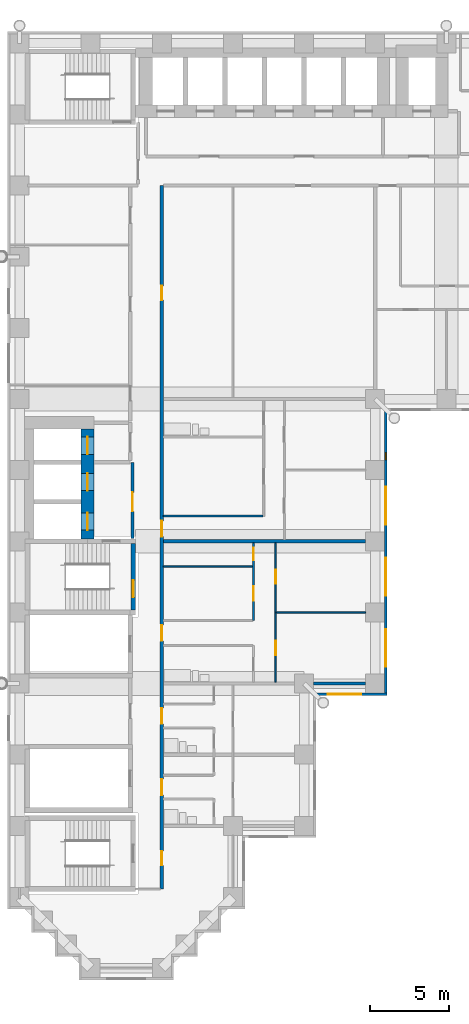
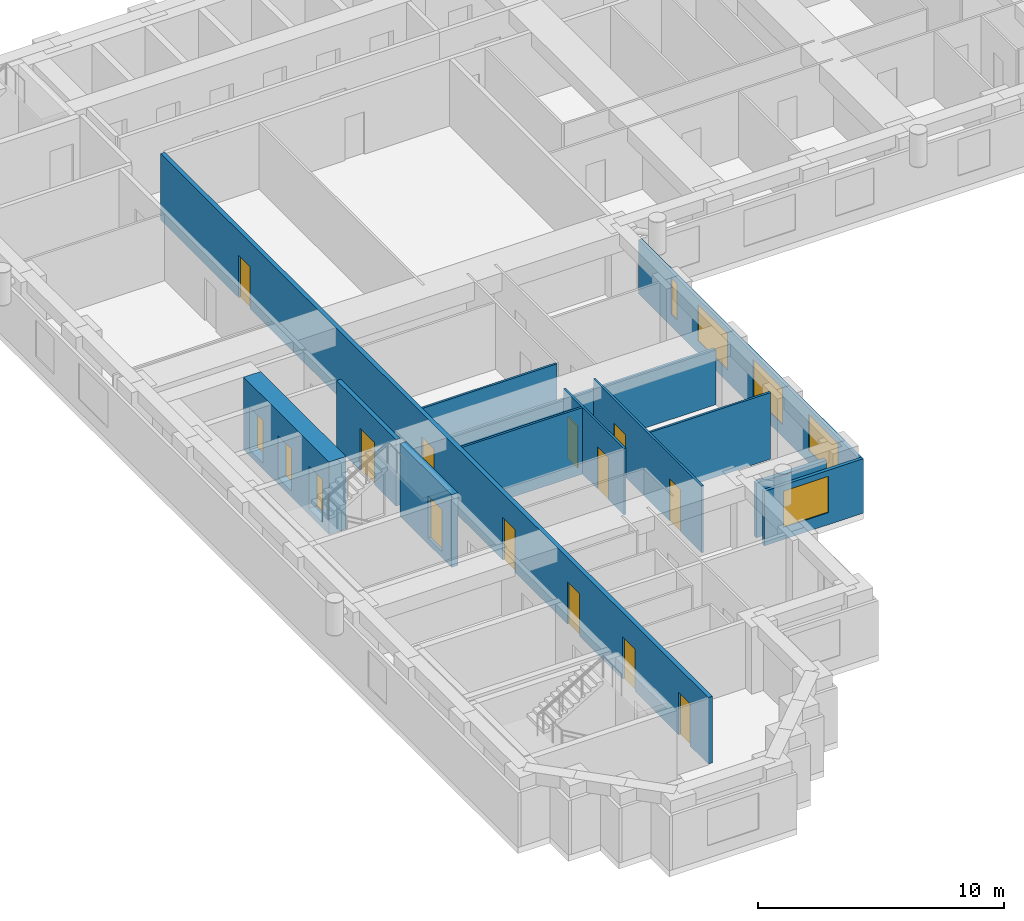
# One storey, part 5 of 14: 15 doors, 13 walls, 5 windows, 20 openings.
"""IFC4 building model written with IfcOpenShell, lengths in metres."""

from ifc_helpers import new_model, si_unit, direction, frame, frame_2d, origin, place, context, subcontext, project, spatial, rectangle, extrude, material, layer, layer_set, type_object, element, fill, save


model = new_model("IFC4")

# Units and contexts
model_context = context("Model", 3, precision=1e-05, world=origin(), true_north=direction((0.0, 1.0)))
body_context = subcontext(model_context, "Body", "Model", "MODEL_VIEW")
ifc_project = project(units=[si_unit("LENGTHUNIT", "METRE"), si_unit("AREAUNIT", "SQUARE_METRE"), si_unit("VOLUMEUNIT", "CUBIC_METRE"), si_unit("PLANEANGLEUNIT", "RADIAN"), si_unit("MASSUNIT", "GRAM", prefix="KILO")], contexts=[model_context])

# Site, building, storey
site_placement = place(None, origin())
site = spatial("IfcSite", under=ifc_project, at=site_placement, CompositionType="ELEMENT")
building_placement = place(site_placement, origin())
building = spatial("IfcBuilding", under=site, at=building_placement, Name="Firuza Court", CompositionType="ELEMENT")
storey_placement = place(building_placement, frame((0.0, 0.0, 68.60009765625)))
storey = spatial("IfcBuildingStorey", under=building, at=storey_placement, Name="L16", CompositionType="ELEMENT", Elevation=68.60009765625)

# Wall, opening, door
ifc_material_1 = material(Name="Concrete C60/75", Category="concrete")
ifc_layer_1 = layer(ifc_material_1, 0.300048828125)
ifc_layer_set_1 = layer_set([ifc_layer_1], Name="Concrete C60/75")
wall_type_1 = type_object("IfcWallType", Name="Core wall 300 C60/75", PredefinedType="SHEAR", material=ifc_layer_set_1)
wall_1_placement = place(storey_placement, frame((7.199951171875, 22.64990234375, -0.300048828125), z_axis=(0.0, 0.0, 1.0), x_axis=(0.0, 1.0, 0.0)))
wall_1 = element("IfcWall", 1, at=wall_1_placement, inside=storey, type_object=wall_type_1, Name="Core wall stair L16", PredefinedType="SHEAR", context=body_context, shape_type="SweptSolid", body=[
    extrude(rectangle(XDim=4.2001953125, YDim=0.300048828125, at=frame_2d((2.10009765625, 0.0))), origin(), (0.0, 0.0, 1.0), 3.599853515625),
])
opening_1_placement = place(wall_1_placement, frame((0.800048828125, 0.0, 0.300048828125)))
opening_1 = element("IfcOpeningElement", 2, at=opening_1_placement, cuts=wall_1, Name="Opening D16015", PredefinedType="OPENING", context=body_context, shape_type="SweptSolid", body=[
    extrude(rectangle(XDim=1.10009765625, YDim=2.10009765625, at=frame_2d((0.550048828125, 1.050048828125))), frame((0.0, 0.162109375, 0.0), z_axis=(0.0, -1.0, 0.0), x_axis=(1.0, 0.0, 0.0)), (0.0, 0.0, 1.0), 0.323974609375),
])
ifc_material_2 = material(Name="Timber door leaf in hardwood frame", Category="wood")
door_type_1 = type_object("IfcDoorType", Name="Stair door 1100", OperationType="SINGLE_SWING_LEFT", PredefinedType="DOOR", material=ifc_material_2)
door_1_placement = place(opening_1_placement, origin())
door_1 = element("IfcDoor", 3, at=door_1_placement, inside=storey, type_object=door_type_1, Name="Stair door S2", OperationType="SINGLE_SWING_LEFT", OverallHeight=2.10009765625, OverallWidth=1.10009765625, PredefinedType="DOOR", context=body_context, shape_type="SweptSolid", body=[
    extrude(rectangle(XDim=1.10009765625, YDim=2.10009765625, at=frame_2d((0.550048828125, 1.050048828125))), frame((0.0, 0.02490234375, 0.0), z_axis=(0.0, -1.0, 0.0), x_axis=(1.0, 0.0, 0.0)), (0.0, 0.0, 1.0), 0.050048828125),
])
fill(opening_1, door_1)

# Wall, openings, doors
ifc_layer_2 = layer(ifc_material_1, 0.800048828125)
ifc_layer_set_2 = layer_set([ifc_layer_2], Name="Concrete C60/75")
wall_type_2 = type_object("IfcWallType", Name="Core wall 800 C60/75", PredefinedType="SHEAR", material=ifc_layer_set_2)
wall_2_placement = place(storey_placement, frame((4.300048828125, 27.14990234375, -0.300048828125), z_axis=(0.0, 0.0, 1.0), x_axis=(0.0, 1.0, 0.0)))
wall_2 = element("IfcWall", 4, at=wall_2_placement, inside=storey, type_object=wall_type_2, Name="Core wall lift shaft L16", PredefinedType="SHEAR", context=body_context, shape_type="SweptSolid", body=[
    extrude(rectangle(XDim=6.9501953125, YDim=0.800048828125, at=frame_2d((3.47509765625, 0.0))), origin(), (0.0, 0.0, 1.0), 3.599853515625),
])
opening_2_placement = place(wall_2_placement, frame((3.050048828125, 0.0, 0.300048828125)))
opening_2 = element("IfcOpeningElement", 5, at=opening_2_placement, cuts=wall_2, Name="Opening LD-FL1-16", PredefinedType="OPENING", context=body_context, shape_type="SweptSolid", body=[
    extrude(rectangle(XDim=1.10009765625, YDim=2.10009765625, at=frame_2d((0.550048828125, 1.050048828125))), frame((0.0, 0.412109375, 0.0), z_axis=(0.0, -1.0, 0.0), x_axis=(1.0, 0.0, 0.0)), (0.0, 0.0, 1.0), 0.823974609375),
])
opening_3_placement = place(wall_2_placement, frame((0.550048828125, 0.0, 0.300048828125)))
opening_3 = element("IfcOpeningElement", 6, at=opening_3_placement, cuts=wall_2, Name="Opening LD-FL2-16", PredefinedType="OPENING", context=body_context, shape_type="SweptSolid", body=[
    extrude(rectangle(XDim=1.10009765625, YDim=2.10009765625, at=frame_2d((0.550048828125, 1.050048828125))), frame((0.0, 0.412109375, 0.0), z_axis=(0.0, -1.0, 0.0), x_axis=(1.0, 0.0, 0.0)), (0.0, 0.0, 1.0), 0.823974609375),
])
opening_4_placement = place(wall_2_placement, frame((5.35009765625, 0.0, 0.300048828125)))
opening_4 = element("IfcOpeningElement", 7, at=opening_4_placement, cuts=wall_2, Name="Opening LD-SL1-16", PredefinedType="OPENING", context=body_context, shape_type="SweptSolid", body=[
    extrude(rectangle(XDim=1.10009765625, YDim=2.10009765625, at=frame_2d((0.550048828125, 1.050048828125))), frame((0.0, 0.412109375, 0.0), z_axis=(0.0, -1.0, 0.0), x_axis=(1.0, 0.0, 0.0)), (0.0, 0.0, 1.0), 0.823974609375),
])
ifc_material_3 = material(Name="Stainless steel 1.4301 door leaf", Category="steel")
door_type_2 = type_object("IfcDoorType", Name="Lift landing door 1100", OperationType="SLIDING_TO_LEFT", PredefinedType="DOOR", material=ifc_material_3)
door_2_placement = place(opening_2_placement, origin())
door_2 = element("IfcDoor", 8, at=door_2_placement, inside=storey, type_object=door_type_2, Name="Landing door FL1", OperationType="SLIDING_TO_LEFT", OverallHeight=2.10009765625, OverallWidth=1.10009765625, PredefinedType="DOOR", context=body_context, shape_type="SweptSolid", body=[
    extrude(rectangle(XDim=1.10009765625, YDim=2.10009765625, at=frame_2d((0.550048828125, 1.050048828125))), frame((0.0, 0.02490234375, 0.0), z_axis=(0.0, -1.0, 0.0), x_axis=(1.0, 0.0, 0.0)), (0.0, 0.0, 1.0), 0.050048828125),
])
fill(opening_2, door_2)
door_3_placement = place(opening_3_placement, origin())
door_3 = element("IfcDoor", 9, at=door_3_placement, inside=storey, type_object=door_type_2, Name="Landing door FL2", OperationType="SLIDING_TO_LEFT", OverallHeight=2.10009765625, OverallWidth=1.10009765625, PredefinedType="DOOR", context=body_context, shape_type="SweptSolid", body=[
    extrude(rectangle(XDim=1.10009765625, YDim=2.10009765625, at=frame_2d((0.550048828125, 1.050048828125))), frame((0.0, 0.02490234375, 0.0), z_axis=(0.0, -1.0, 0.0), x_axis=(1.0, 0.0, 0.0)), (0.0, 0.0, 1.0), 0.050048828125),
])
fill(opening_3, door_3)
door_4_placement = place(opening_4_placement, origin())
door_4 = element("IfcDoor", 10, at=door_4_placement, inside=storey, type_object=door_type_2, Name="Landing door SL1", OperationType="SLIDING_TO_LEFT", OverallHeight=2.10009765625, OverallWidth=1.10009765625, PredefinedType="DOOR", context=body_context, shape_type="SweptSolid", body=[
    extrude(rectangle(XDim=1.10009765625, YDim=2.10009765625, at=frame_2d((0.550048828125, 1.050048828125))), frame((0.0, 0.02490234375, 0.0), z_axis=(0.0, -1.0, 0.0), x_axis=(1.0, 0.0, 0.0)), (0.0, 0.0, 1.0), 0.050048828125),
])
fill(opening_4, door_4)

ifc_material_4 = material(Name="Blockwork, plastered both sides", Category="masonry")
ifc_layer_3 = layer(ifc_material_4, 0.199951171875)
ifc_layer_set_3 = layer_set([ifc_layer_3], Name="Blockwork, plastered both sides")
wall_type_3 = type_object("IfcWallType", Name="Corridor wall 200", PredefinedType="PARTITIONING", material=ifc_layer_set_3)
wall_3_placement = place(storey_placement, frame((9.0, 5.0, 0.0), z_axis=(0.0, 0.0, 1.0), x_axis=(0.0, 1.0, 0.0)))
wall_3 = element("IfcWall", 11, at=wall_3_placement, inside=storey, type_object=wall_type_3, Name="Corridor wall 200 L16", PredefinedType="PARTITIONING", context=body_context, shape_type="SweptSolid", body=[
    extrude(rectangle(XDim=44.5, YDim=0.199951171875, at=frame_2d((22.25, 0.0))), origin(), (0.0, 0.0, 1.0), 3.2998046875),
])
opening_5_placement = place(wall_3_placement, frame((22.300048828125, 0.0, 0.0)))
opening_5 = element("IfcOpeningElement", 12, at=opening_5_placement, cuts=wall_3, Name="Opening D16019", PredefinedType="OPENING", context=body_context, shape_type="SweptSolid", body=[
    extrude(rectangle(XDim=1.0, YDim=2.10009765625, at=frame_2d((0.5, 1.050048828125))), frame((0.0, 0.11181640625, 0.0), z_axis=(0.0, -1.0, 0.0), x_axis=(1.0, 0.0, 0.0)), (0.0, 0.0, 1.0), 0.223876953125),
])
opening_6_placement = place(wall_3_placement, frame((15.699951171875, 0.0, 0.0)))
opening_6 = element("IfcOpeningElement", 13, at=opening_6_placement, cuts=wall_3, Name="Opening D16020", PredefinedType="OPENING", context=body_context, shape_type="SweptSolid", body=[
    extrude(rectangle(XDim=1.0, YDim=2.10009765625, at=frame_2d((0.5, 1.050048828125))), frame((0.0, 0.11181640625, 0.0), z_axis=(0.0, -1.0, 0.0), x_axis=(1.0, 0.0, 0.0)), (0.0, 0.0, 1.0), 0.223876953125),
])
opening_7_placement = place(wall_3_placement, frame((10.449951171875, 0.0, 0.0)))
opening_7 = element("IfcOpeningElement", 14, at=opening_7_placement, cuts=wall_3, Name="Opening D16021", PredefinedType="OPENING", context=body_context, shape_type="SweptSolid", body=[
    extrude(rectangle(XDim=1.0, YDim=2.10009765625, at=frame_2d((0.5, 1.050048828125))), frame((0.0, 0.11181640625, 0.0), z_axis=(0.0, -1.0, 0.0), x_axis=(1.0, 0.0, 0.0)), (0.0, 0.0, 1.0), 0.223876953125),
])
opening_8_placement = place(wall_3_placement, frame((5.949951171875, 0.0, 0.0)))
opening_8 = element("IfcOpeningElement", 15, at=opening_8_placement, cuts=wall_3, Name="Opening D16022", PredefinedType="OPENING", context=body_context, shape_type="SweptSolid", body=[
    extrude(rectangle(XDim=1.0, YDim=2.10009765625, at=frame_2d((0.5, 1.050048828125))), frame((0.0, 0.11181640625, 0.0), z_axis=(0.0, -1.0, 0.0), x_axis=(1.0, 0.0, 0.0)), (0.0, 0.0, 1.0), 0.223876953125),
])
opening_9_placement = place(wall_3_placement, frame((37.25, 0.0, 0.0)))
opening_9 = element("IfcOpeningElement", 16, at=opening_9_placement, cuts=wall_3, Name="Opening D16023", PredefinedType="OPENING", context=body_context, shape_type="SweptSolid", body=[
    extrude(rectangle(XDim=0.89990234375, YDim=2.10009765625, at=frame_2d((0.449951171875, 1.050048828125))), frame((0.0, 0.11181640625, 0.0), z_axis=(0.0, -1.0, 0.0), x_axis=(1.0, 0.0, 0.0)), (0.0, 0.0, 1.0), 0.223876953125),
])
opening_10_placement = place(wall_3_placement, frame((1.5, 0.0, 0.0)))
opening_10 = element("IfcOpeningElement", 17, at=opening_10_placement, cuts=wall_3, Name="Opening D16024", PredefinedType="OPENING", context=body_context, shape_type="SweptSolid", body=[
    extrude(rectangle(XDim=0.89990234375, YDim=2.10009765625, at=frame_2d((0.449951171875, 1.050048828125))), frame((0.0, 0.11181640625, 0.0), z_axis=(0.0, -1.0, 0.0), x_axis=(1.0, 0.0, 0.0)), (0.0, 0.0, 1.0), 0.223876953125),
])
ifc_material_5 = material(Name="Timber door leaf in hardwood frame", Category="wood")
door_type_3 = type_object("IfcDoorType", Name="Flat entrance door 1000", OperationType="SINGLE_SWING_LEFT", PredefinedType="DOOR", material=ifc_material_5)
door_5_placement = place(opening_5_placement, origin())
door_5 = element("IfcDoor", 18, at=door_5_placement, inside=storey, type_object=door_type_3, Name="Flat entrance door", OperationType="SINGLE_SWING_LEFT", OverallHeight=2.10009765625, OverallWidth=1.0, PredefinedType="DOOR", context=body_context, shape_type="SweptSolid", body=[
    extrude(rectangle(XDim=1.0, YDim=2.10009765625, at=frame_2d((0.5, 1.050048828125))), frame((0.0, 0.02490234375, 0.0), z_axis=(0.0, -1.0, 0.0), x_axis=(1.0, 0.0, 0.0)), (0.0, 0.0, 1.0), 0.050048828125),
])
fill(opening_5, door_5)
door_6_placement = place(opening_6_placement, origin())
door_6 = element("IfcDoor", 19, at=door_6_placement, inside=storey, type_object=door_type_3, Name="Flat entrance door", OperationType="SINGLE_SWING_LEFT", OverallHeight=2.10009765625, OverallWidth=1.0, PredefinedType="DOOR", context=body_context, shape_type="SweptSolid", body=[
    extrude(rectangle(XDim=1.0, YDim=2.10009765625, at=frame_2d((0.5, 1.050048828125))), frame((0.0, 0.02490234375, 0.0), z_axis=(0.0, -1.0, 0.0), x_axis=(1.0, 0.0, 0.0)), (0.0, 0.0, 1.0), 0.050048828125),
])
fill(opening_6, door_6)
door_7_placement = place(opening_7_placement, origin())
door_7 = element("IfcDoor", 20, at=door_7_placement, inside=storey, type_object=door_type_3, Name="Flat entrance door", OperationType="SINGLE_SWING_LEFT", OverallHeight=2.10009765625, OverallWidth=1.0, PredefinedType="DOOR", context=body_context, shape_type="SweptSolid", body=[
    extrude(rectangle(XDim=1.0, YDim=2.10009765625, at=frame_2d((0.5, 1.050048828125))), frame((0.0, 0.02490234375, 0.0), z_axis=(0.0, -1.0, 0.0), x_axis=(1.0, 0.0, 0.0)), (0.0, 0.0, 1.0), 0.050048828125),
])
fill(opening_7, door_7)
door_8_placement = place(opening_8_placement, origin())
door_8 = element("IfcDoor", 21, at=door_8_placement, inside=storey, type_object=door_type_3, Name="Flat entrance door", OperationType="SINGLE_SWING_LEFT", OverallHeight=2.10009765625, OverallWidth=1.0, PredefinedType="DOOR", context=body_context, shape_type="SweptSolid", body=[
    extrude(rectangle(XDim=1.0, YDim=2.10009765625, at=frame_2d((0.5, 1.050048828125))), frame((0.0, 0.02490234375, 0.0), z_axis=(0.0, -1.0, 0.0), x_axis=(1.0, 0.0, 0.0)), (0.0, 0.0, 1.0), 0.050048828125),
])
fill(opening_8, door_8)
ifc_material_6 = material(Name="Timber door leaf in hardwood frame", Category="wood")
door_type_4 = type_object("IfcDoorType", Name="Room door 900 EI 30", OperationType="SINGLE_SWING_LEFT", PredefinedType="DOOR", material=ifc_material_6)
door_9_placement = place(opening_9_placement, frame((0.89990234375, 0.0, 0.0), z_axis=(0.0, 0.0, 1.0), x_axis=(-1.0, 0.0, 0.0)))
door_9 = element("IfcDoor", 22, at=door_9_placement, inside=storey, type_object=door_type_4, Name="Music room door", OperationType="SINGLE_SWING_RIGHT", OverallHeight=2.10009765625, OverallWidth=0.89990234375, PredefinedType="DOOR", context=body_context, shape_type="SweptSolid", body=[
    extrude(rectangle(XDim=0.89990234375, YDim=2.10009765625, at=frame_2d((0.449951171875, 1.050048828125))), frame((0.0, 0.02490234375, 0.0), z_axis=(0.0, -1.0, 0.0), x_axis=(1.0, 0.0, 0.0)), (0.0, 0.0, 1.0), 0.050048828125),
])
fill(opening_9, door_9)
door_10_placement = place(opening_10_placement, frame((0.89990234375, 0.0, 0.0), z_axis=(0.0, 0.0, 1.0), x_axis=(-1.0, 0.0, 0.0)))
door_10 = element("IfcDoor", 23, at=door_10_placement, inside=storey, type_object=door_type_4, Name="Games room door", OperationType="SINGLE_SWING_LEFT", OverallHeight=2.10009765625, OverallWidth=0.89990234375, PredefinedType="DOOR", context=body_context, shape_type="SweptSolid", body=[
    extrude(rectangle(XDim=0.89990234375, YDim=2.10009765625, at=frame_2d((0.449951171875, 1.050048828125))), frame((0.0, 0.02490234375, 0.0), z_axis=(0.0, -1.0, 0.0), x_axis=(1.0, 0.0, 0.0)), (0.0, 0.0, 1.0), 0.050048828125),
])
fill(opening_10, door_10)

ifc_material_7 = material(Name="Timber stud partition, plasterboard both sides", Category="wood")
ifc_layer_4 = layer(ifc_material_7, 0.10009765625)
ifc_layer_set_4 = layer_set([ifc_layer_4], Name="Timber stud partition, plasterboard both sides")
wall_type_4 = type_object("IfcWallType", Name="Partition wall 100", PredefinedType="PARTITIONING", material=ifc_layer_set_4)
wall_4_placement = place(storey_placement, frame((16.199951171875, 18.10009765625, 0.0), z_axis=(0.0, 0.0, 1.0), x_axis=(0.0, 1.0, 0.0)))
wall_4 = element("IfcWall", 24, at=wall_4_placement, inside=storey, type_object=wall_type_4, Name="Partition wall 100 L16", PredefinedType="PARTITIONING", context=body_context, shape_type="SweptSolid", body=[
    extrude(rectangle(XDim=8.7998046875, YDim=0.10009765625, at=frame_2d((4.39990234375, 0.0))), origin(), (0.0, 0.0, 1.0), 3.2998046875),
])
opening_11_placement = place(wall_4_placement, frame((1.699951171875, 0.0, 0.0)))
opening_11 = element("IfcOpeningElement", 25, at=opening_11_placement, cuts=wall_4, Name="Opening D16033", PredefinedType="OPENING", context=body_context, shape_type="SweptSolid", body=[
    extrude(rectangle(XDim=0.89990234375, YDim=2.10009765625, at=frame_2d((0.449951171875, 1.050048828125))), frame((0.0, 0.06201171875, 0.0), z_axis=(0.0, -1.0, 0.0), x_axis=(1.0, 0.0, 0.0)), (0.0, 0.0, 1.0), 0.1240234375),
])
opening_12_placement = place(wall_4_placement, frame((6.199951171875, 0.0, 0.0)))
opening_12 = element("IfcOpeningElement", 26, at=opening_12_placement, cuts=wall_4, Name="Opening D16034", PredefinedType="OPENING", context=body_context, shape_type="SweptSolid", body=[
    extrude(rectangle(XDim=0.89990234375, YDim=2.10009765625, at=frame_2d((0.449951171875, 1.050048828125))), frame((0.0, 0.06201171875, 0.0), z_axis=(0.0, -1.0, 0.0), x_axis=(1.0, 0.0, 0.0)), (0.0, 0.0, 1.0), 0.1240234375),
])
ifc_material_8 = material(Name="Timber door leaf in hardwood frame", Category="wood")
door_type_5 = type_object("IfcDoorType", Name="Room door 900", OperationType="SINGLE_SWING_LEFT", PredefinedType="DOOR", material=ifc_material_8)
door_11_placement = place(opening_11_placement, frame((0.89990234375, 0.0, 0.0), z_axis=(0.0, 0.0, 1.0), x_axis=(-1.0, 0.0, 0.0)))
door_11 = element("IfcDoor", 27, at=door_11_placement, inside=storey, type_object=door_type_5, Name="Bedroom door", OperationType="SINGLE_SWING_RIGHT", OverallHeight=2.10009765625, OverallWidth=0.89990234375, PredefinedType="DOOR", context=body_context, shape_type="SweptSolid", body=[
    extrude(rectangle(XDim=0.89990234375, YDim=2.10009765625, at=frame_2d((0.449951171875, 1.050048828125))), frame((0.0, 0.02490234375, 0.0), z_axis=(0.0, -1.0, 0.0), x_axis=(1.0, 0.0, 0.0)), (0.0, 0.0, 1.0), 0.050048828125),
])
fill(opening_11, door_11)
door_12_placement = place(opening_12_placement, frame((0.89990234375, 0.0, 0.0), z_axis=(0.0, 0.0, 1.0), x_axis=(-1.0, 0.0, 0.0)))
door_12 = element("IfcDoor", 28, at=door_12_placement, inside=storey, type_object=door_type_5, Name="Living room door", OperationType="SINGLE_SWING_RIGHT", OverallHeight=2.10009765625, OverallWidth=0.89990234375, PredefinedType="DOOR", context=body_context, shape_type="SweptSolid", body=[
    extrude(rectangle(XDim=0.89990234375, YDim=2.10009765625, at=frame_2d((0.449951171875, 1.050048828125))), frame((0.0, 0.02490234375, 0.0), z_axis=(0.0, -1.0, 0.0), x_axis=(1.0, 0.0, 0.0)), (0.0, 0.0, 1.0), 0.050048828125),
])
fill(opening_12, door_12)

wall_5_placement = place(storey_placement, frame((14.800048828125, 22.0, 0.0), z_axis=(0.0, 0.0, 1.0), x_axis=(0.0, 1.0, 0.0)))
wall_5 = element("IfcWall", 29, at=wall_5_placement, inside=storey, type_object=wall_type_4, Name="Partition wall 100 L16", PredefinedType="PARTITIONING", context=body_context, shape_type="SweptSolid", body=[
    extrude(rectangle(XDim=4.89990234375, YDim=0.10009765625, at=frame_2d((2.449951171875, 0.0))), origin(), (0.0, 0.0, 1.0), 3.2998046875),
])
opening_13_placement = place(wall_5_placement, frame((1.25, 0.0, 0.0)))
opening_13 = element("IfcOpeningElement", 30, at=opening_13_placement, cuts=wall_5, Name="Opening D16035", PredefinedType="OPENING", context=body_context, shape_type="SweptSolid", body=[
    extrude(rectangle(XDim=0.89990234375, YDim=2.10009765625, at=frame_2d((0.449951171875, 1.050048828125))), frame((0.0, 0.06201171875, 0.0), z_axis=(0.0, -1.0, 0.0), x_axis=(1.0, 0.0, 0.0)), (0.0, 0.0, 1.0), 0.1240234375),
])
opening_14_placement = place(wall_5_placement, frame((3.800048828125, 0.0, 0.0)))
opening_14 = element("IfcOpeningElement", 31, at=opening_14_placement, cuts=wall_5, Name="Opening D16036", PredefinedType="OPENING", context=body_context, shape_type="SweptSolid", body=[
    extrude(rectangle(XDim=0.800048828125, YDim=2.10009765625, at=frame_2d((0.39990234375, 1.050048828125))), frame((0.0, 0.06201171875, 0.0), z_axis=(0.0, -1.0, 0.0), x_axis=(1.0, 0.0, 0.0)), (0.0, 0.0, 1.0), 0.1240234375),
])
ifc_material_9 = material(Name="Timber door leaf in hardwood frame", Category="wood")
door_type_6 = type_object("IfcDoorType", Name="Room door 800", OperationType="SINGLE_SWING_LEFT", PredefinedType="DOOR", material=ifc_material_9)
door_13_placement = place(opening_14_placement, origin())
door_13 = element("IfcDoor", 32, at=door_13_placement, inside=storey, type_object=door_type_6, Name="Store door", OperationType="SINGLE_SWING_LEFT", OverallHeight=2.10009765625, OverallWidth=0.800048828125, PredefinedType="DOOR", context=body_context, shape_type="SweptSolid", body=[
    extrude(rectangle(XDim=0.800048828125, YDim=2.10009765625, at=frame_2d((0.39990234375, 1.050048828125))), frame((0.0, 0.02490234375, 0.0), z_axis=(0.0, -1.0, 0.0), x_axis=(1.0, 0.0, 0.0)), (0.0, 0.0, 1.0), 0.050048828125),
])
fill(opening_14, door_13)
door_14_placement = place(opening_13_placement, origin())
door_14 = element("IfcDoor", 33, at=door_14_placement, inside=storey, type_object=door_type_5, Name="Kitchen door", OperationType="SINGLE_SWING_LEFT", OverallHeight=2.10009765625, OverallWidth=0.89990234375, PredefinedType="DOOR", context=body_context, shape_type="SweptSolid", body=[
    extrude(rectangle(XDim=0.89990234375, YDim=2.10009765625, at=frame_2d((0.449951171875, 1.050048828125))), frame((0.0, 0.02490234375, 0.0), z_axis=(0.0, -1.0, 0.0), x_axis=(1.0, 0.0, 0.0)), (0.0, 0.0, 1.0), 0.050048828125),
])
fill(opening_13, door_14)

# Walls
for number, where, z_axis, x_axis, name in (
    (34, (16.25, 22.5, 0.0), (0.0, 0.0, 1.0), (1.0, 0.0, 0.0), "Partition wall 100 L16"),
    (35, (9.10009765625, 25.39990234375, 0.0), (0.0, 0.0, 1.0), (1.0, 0.0, 0.0), "Partition wall 100 L16"),
):
    element("IfcWall", number, at=place(storey_placement, frame(where, z_axis=z_axis, x_axis=x_axis)), inside=storey, type_object=wall_type_4, Name=name, PredefinedType="PARTITIONING", context=body_context, shape_type="SweptSolid", body=[
        extrude(rectangle(XDim=5.64990234375, YDim=0.10009765625, at=frame_2d((2.824951171875, 0.0))), origin(), (0.0, 0.0, 1.0), 3.2998046875),
    ])
wall_6_placement = place(storey_placement, frame((9.10009765625, 28.60009765625, 0.0), z_axis=(0.0, 0.0, 1.0), x_axis=(1.0, 0.0, 0.0)))
element("IfcWall", 36, at=wall_6_placement, inside=storey, type_object=wall_type_4, Name="Partition wall 100 L16", PredefinedType="PARTITIONING", context=body_context, shape_type="SweptSolid", body=[
    extrude(rectangle(XDim=6.2998046875, YDim=0.10009765625, at=frame_2d((3.14990234375, 0.0))), origin(), (0.0, 0.0, 1.0), 3.2998046875),
])
ifc_layer_5 = layer(ifc_material_4, 0.199951171875)
ifc_layer_set_5 = layer_set([ifc_layer_5], Name="Blockwork, plastered both sides")
wall_type_5 = type_object("IfcWallType", Name="Party wall 200", PredefinedType="PARTITIONING", material=ifc_layer_set_5)
wall_7_placement = place(storey_placement, frame((18.60009765625, 18.0, 0.0), z_axis=(0.0, 0.0, 1.0), x_axis=(1.0, 0.0, 0.0)))
element("IfcWall", 37, at=wall_7_placement, inside=storey, type_object=wall_type_5, Name="Party wall 200 L16", PredefinedType="PARTITIONING", context=body_context, shape_type="SweptSolid", body=[
    extrude(rectangle(XDim=3.2998046875, YDim=0.199951171875, at=frame_2d((1.64990234375, 0.0))), origin(), (0.0, 0.0, 1.0), 2.699951171875),
])
wall_8_placement = place(storey_placement, frame((9.10009765625, 27.0, 0.0), z_axis=(0.0, 0.0, 1.0), x_axis=(1.0, 0.0, 0.0)))
element("IfcWall", 38, at=wall_8_placement, inside=storey, type_object=wall_type_5, Name="Party wall 200 L16", PredefinedType="PARTITIONING", context=body_context, shape_type="SweptSolid", body=[
    extrude(rectangle(XDim=12.7998046875, YDim=0.199951171875, at=frame_2d((6.39990234375, 0.0))), origin(), (0.0, 0.0, 1.0), 2.699951171875),
])

# Wall, opening, window
ifc_material_10 = material(Name="Ceramic tile", Category="ceramic")
ifc_layer_6 = layer(ifc_material_10, 0.02001953125)
ifc_material_11 = material(Name="Mineral wool insulation", Category="insulation")
ifc_layer_7 = layer(ifc_material_11, 0.050048828125)
ifc_material_12 = material(Name="Concrete C40/50 precast", Category="concrete")
ifc_layer_8 = layer(ifc_material_12, 0.080078125)
ifc_layer_set_6 = layer_set([ifc_layer_6, ifc_layer_7, ifc_layer_8], Name="Concrete C40/50 precast")
wall_type_6 = type_object("IfcWallType", Name="Precast cladding wall with turquoise TILE PANEL face 150", PredefinedType="STANDARD", material=ifc_layer_set_6)
wall_9_placement = place(storey_placement, frame((18.60009765625, 17.324951171875, 0.0), z_axis=(0.0, 0.0, 1.0), x_axis=(1.0, 0.0, 0.0)))
wall_9 = element("IfcWall", 39, at=wall_9_placement, inside=storey, type_object=wall_type_6, Name="Facade wall L16 S", PredefinedType="STANDARD", context=body_context, shape_type="SweptSolid", body=[
    extrude(rectangle(XDim=4.64990234375, YDim=0.14990234375, at=frame_2d((2.324951171875, 0.0))), origin(), (0.0, 0.0, 1.0), 2.699951171875),
])
opening_15_placement = place(wall_9_placement, frame((0.907470703125, 0.0, 0.60009765625)))
opening_15 = element("IfcOpeningElement", 40, at=opening_15_placement, cuts=wall_9, Name="Opening W6", PredefinedType="OPENING", context=body_context, shape_type="SweptSolid", body=[
    extrude(rectangle(XDim=2.10009765625, YDim=1.800048828125, at=frame_2d((1.050048828125, 0.89990234375))), frame((0.0, 0.0869140625, 0.0), z_axis=(0.0, -1.0, 0.0), x_axis=(1.0, 0.0, 0.0)), (0.0, 0.0, 1.0), 0.173828125),
])
ifc_material_13 = material(Name="Aluminium frame, triple clear glazing", Category="aluminium")
window_type_1 = type_object("IfcWindowType", Name="Window W6 2100 x 1800", PartitioningType="SINGLE_PANEL", PredefinedType="WINDOW", material=ifc_material_13)
window_1_placement = place(opening_15_placement, origin())
window_1 = element("IfcWindow", 41, at=window_1_placement, inside=storey, type_object=window_type_1, Name="Window L16", OverallHeight=1.800048828125, OverallWidth=2.10009765625, PartitioningType="SINGLE_PANEL", PredefinedType="WINDOW", context=body_context, shape_type="SweptSolid", body=[
    extrude(rectangle(XDim=2.10009765625, YDim=1.800048828125, at=frame_2d((1.050048828125, 0.89990234375))), frame((0.0, 0.030029296875, 0.0), z_axis=(0.0, -1.0, 0.0), x_axis=(1.0, 0.0, 0.0)), (0.0, 0.0, 1.0), 0.06005859375),
])
fill(opening_15, window_1)

# Wall, openings, windows
wall_10_placement = place(storey_placement, frame((23.175048828125, 17.39990234375, 0.0), z_axis=(0.0, 0.0, 1.0), x_axis=(0.0, 1.0, 0.0)))
wall_10 = element("IfcWall", 42, at=wall_10_placement, inside=storey, type_object=wall_type_6, Name="Facade wall L16 E", PredefinedType="STANDARD", context=body_context, shape_type="SweptSolid", body=[
    extrude(rectangle(XDim=17.85009765625, YDim=0.14990234375, at=frame_2d((8.925048828125, 0.0))), origin(), (0.0, 0.0, 1.0), 2.699951171875),
])
opening_16_placement = place(wall_10_placement, frame((1.64990234375, 0.0, 0.60009765625)))
opening_16 = element("IfcOpeningElement", 43, at=opening_16_placement, cuts=wall_10, Name="Opening W1", PredefinedType="OPENING", context=body_context, shape_type="SweptSolid", body=[
    extrude(rectangle(XDim=2.39990234375, YDim=1.800048828125, at=frame_2d((1.199951171875, 0.89990234375))), frame((0.0, 0.0869140625, 0.0), z_axis=(0.0, -1.0, 0.0), x_axis=(1.0, 0.0, 0.0)), (0.0, 0.0, 1.0), 0.173828125),
])
opening_17_placement = place(wall_10_placement, frame((6.14990234375, 0.0, 0.60009765625)))
opening_17 = element("IfcOpeningElement", 44, at=opening_17_placement, cuts=wall_10, Name="Opening W1", PredefinedType="OPENING", context=body_context, shape_type="SweptSolid", body=[
    extrude(rectangle(XDim=2.39990234375, YDim=1.800048828125, at=frame_2d((1.199951171875, 0.89990234375))), frame((0.0, 0.0869140625, 0.0), z_axis=(0.0, -1.0, 0.0), x_axis=(1.0, 0.0, 0.0)), (0.0, 0.0, 1.0), 0.173828125),
])
opening_18_placement = place(wall_10_placement, frame((10.64990234375, 0.0, 0.60009765625)))
opening_18 = element("IfcOpeningElement", 45, at=opening_18_placement, cuts=wall_10, Name="Opening W1", PredefinedType="OPENING", context=body_context, shape_type="SweptSolid", body=[
    extrude(rectangle(XDim=2.39990234375, YDim=1.800048828125, at=frame_2d((1.199951171875, 0.89990234375))), frame((0.0, 0.0869140625, 0.0), z_axis=(0.0, -1.0, 0.0), x_axis=(1.0, 0.0, 0.0)), (0.0, 0.0, 1.0), 0.173828125),
])
opening_19_placement = place(wall_10_placement, frame((14.755615234375, 0.0, 0.60009765625)))
opening_19 = element("IfcOpeningElement", 46, at=opening_19_placement, cuts=wall_10, Name="Opening W5", PredefinedType="OPENING", context=body_context, shape_type="SweptSolid", body=[
    extrude(rectangle(XDim=0.449951171875, YDim=1.800048828125, at=frame_2d((0.22509765625, 0.89990234375))), frame((0.0, 0.0869140625, 0.0), z_axis=(0.0, -1.0, 0.0), x_axis=(1.0, 0.0, 0.0)), (0.0, 0.0, 1.0), 0.173828125),
])
ifc_material_14 = material(Name="Aluminium frame, triple clear glazing", Category="aluminium")
window_type_2 = type_object("IfcWindowType", Name="Window W1 2400 x 1800", PartitioningType="SINGLE_PANEL", PredefinedType="WINDOW", material=ifc_material_14)
window_2_placement = place(opening_16_placement, origin())
window_2 = element("IfcWindow", 47, at=window_2_placement, inside=storey, type_object=window_type_2, Name="Window L16", OverallHeight=1.800048828125, OverallWidth=2.39990234375, PartitioningType="SINGLE_PANEL", PredefinedType="WINDOW", context=body_context, shape_type="SweptSolid", body=[
    extrude(rectangle(XDim=2.39990234375, YDim=1.800048828125, at=frame_2d((1.199951171875, 0.89990234375))), frame((0.0, 0.030029296875, 0.0), z_axis=(0.0, -1.0, 0.0), x_axis=(1.0, 0.0, 0.0)), (0.0, 0.0, 1.0), 0.06005859375),
])
fill(opening_16, window_2)
window_3_placement = place(opening_17_placement, origin())
window_3 = element("IfcWindow", 48, at=window_3_placement, inside=storey, type_object=window_type_2, Name="Window L16", OverallHeight=1.800048828125, OverallWidth=2.39990234375, PartitioningType="SINGLE_PANEL", PredefinedType="WINDOW", context=body_context, shape_type="SweptSolid", body=[
    extrude(rectangle(XDim=2.39990234375, YDim=1.800048828125, at=frame_2d((1.199951171875, 0.89990234375))), frame((0.0, 0.030029296875, 0.0), z_axis=(0.0, -1.0, 0.0), x_axis=(1.0, 0.0, 0.0)), (0.0, 0.0, 1.0), 0.06005859375),
])
fill(opening_17, window_3)
window_4_placement = place(opening_18_placement, origin())
window_4 = element("IfcWindow", 49, at=window_4_placement, inside=storey, type_object=window_type_2, Name="Window L16", OverallHeight=1.800048828125, OverallWidth=2.39990234375, PartitioningType="SINGLE_PANEL", PredefinedType="WINDOW", context=body_context, shape_type="SweptSolid", body=[
    extrude(rectangle(XDim=2.39990234375, YDim=1.800048828125, at=frame_2d((1.199951171875, 0.89990234375))), frame((0.0, 0.030029296875, 0.0), z_axis=(0.0, -1.0, 0.0), x_axis=(1.0, 0.0, 0.0)), (0.0, 0.0, 1.0), 0.06005859375),
])
fill(opening_18, window_4)
ifc_material_15 = material(Name="Aluminium frame, triple clear glazing", Category="aluminium")
window_type_3 = type_object("IfcWindowType", Name="Window W5 450 x 1800", PartitioningType="SINGLE_PANEL", PredefinedType="WINDOW", material=ifc_material_15)
window_5_placement = place(opening_19_placement, origin())
window_5 = element("IfcWindow", 50, at=window_5_placement, inside=storey, type_object=window_type_3, Name="Window L16", OverallHeight=1.800048828125, OverallWidth=0.449951171875, PartitioningType="SINGLE_PANEL", PredefinedType="WINDOW", context=body_context, shape_type="SweptSolid", body=[
    extrude(rectangle(XDim=0.449951171875, YDim=1.800048828125, at=frame_2d((0.22509765625, 0.89990234375))), frame((0.0, 0.030029296875, 0.0), z_axis=(0.0, -1.0, 0.0), x_axis=(1.0, 0.0, 0.0)), (0.0, 0.0, 1.0), 0.06005859375),
])
fill(opening_19, window_5)

# Wall, opening, door
ifc_material_16 = material(Name="Blockwork, fire-rated", Category="masonry")
ifc_layer_9 = layer(ifc_material_16, 0.199951171875)
ifc_layer_set_7 = layer_set([ifc_layer_9], Name="Blockwork, fire-rated")
wall_type_7 = type_object("IfcWallType", Name="Shaft wall 200", PredefinedType="PARTITIONING", material=ifc_layer_set_7)
wall_11_placement = place(storey_placement, frame((7.14990234375, 27.169921875, 0.0), z_axis=(0.0, 0.0, 1.0), x_axis=(0.0, 1.0, 0.0)))
wall_11 = element("IfcWall", 51, at=wall_11_placement, inside=storey, type_object=wall_type_7, Name="Shaft wall 200 L16", PredefinedType="PARTITIONING", context=body_context, shape_type="SweptSolid", body=[
    extrude(rectangle(XDim=4.830078125, YDim=0.199951171875, at=frame_2d((2.4150390625, 0.0))), origin(), (0.0, 0.0, 1.0), 3.2998046875),
])
opening_20_placement = place(wall_11_placement, frame((1.72998046875, 0.0, 0.0)))
opening_20 = element("IfcOpeningElement", 52, at=opening_20_placement, cuts=wall_11, Name="Opening D16002", PredefinedType="OPENING", context=body_context, shape_type="SweptSolid", body=[
    extrude(rectangle(XDim=1.199951171875, YDim=2.10009765625, at=frame_2d((0.60009765625, 1.050048828125))), frame((0.0, 0.11181640625, 0.0), z_axis=(0.0, -1.0, 0.0), x_axis=(1.0, 0.0, 0.0)), (0.0, 0.0, 1.0), 0.223876953125),
])
ifc_material_17 = material(Name="Timber door leaf in hardwood frame", Category="wood")
door_type_7 = type_object("IfcDoorType", Name="Lobby door 1200", OperationType="SINGLE_SWING_LEFT", PredefinedType="DOOR", material=ifc_material_17)
door_15_placement = place(opening_20_placement, origin())
door_15 = element("IfcDoor", 53, at=door_15_placement, inside=storey, type_object=door_type_7, Name="Fire-fighting lobby door", OperationType="SINGLE_SWING_LEFT", OverallHeight=2.10009765625, OverallWidth=1.199951171875, PredefinedType="DOOR", context=body_context, shape_type="SweptSolid", body=[
    extrude(rectangle(XDim=1.199951171875, YDim=2.10009765625, at=frame_2d((0.60009765625, 1.050048828125))), frame((0.0, 0.02490234375, 0.0), z_axis=(0.0, -1.0, 0.0), x_axis=(1.0, 0.0, 0.0)), (0.0, 0.0, 1.0), 0.050048828125),
])
fill(opening_20, door_15)

save(model, "model.ifc")
